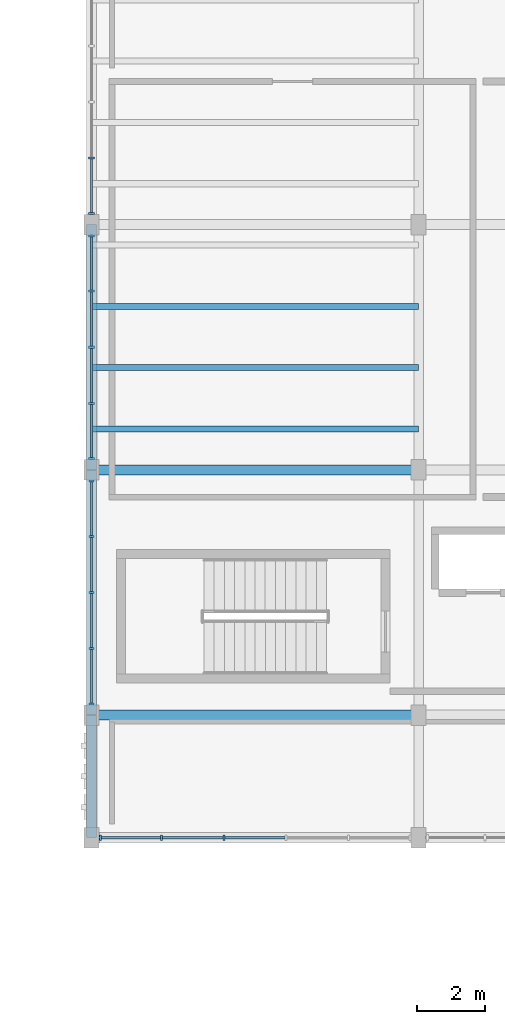
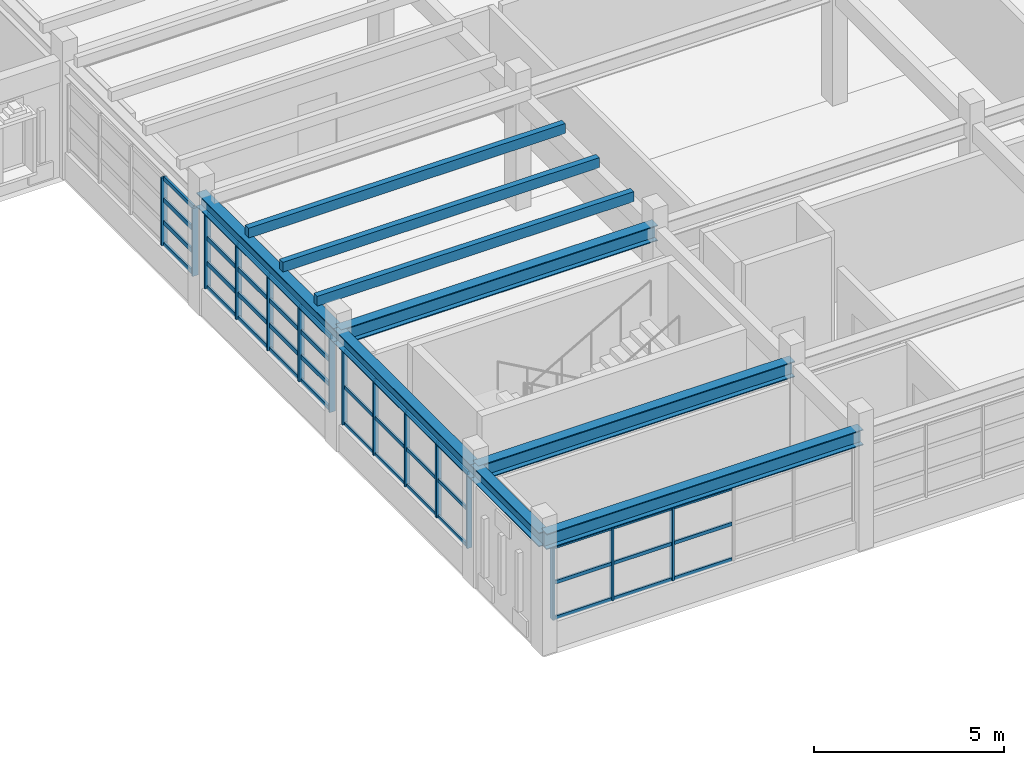
# One storey, part 21 of 69: 59 members, 6 beams, 4 elements without a shape of their own.
"""IFC4 building model written with IfcOpenShell, lengths in metres."""

from ifc_helpers import new_model, si_unit, direction, frame, origin, origin_2d, place, context, subcontext, project, spatial, rectangle, i_section, extrude, material, material_profile, profile_set, type_object, element, aggregate, save


model = new_model("IFC4")

# Units and contexts
model_context = context("Model", 3, precision=1e-05, world=origin(), true_north=direction((0.0, 1.0)))
body_context = subcontext(model_context, "Body", "Model", "MODEL_VIEW")
ifc_project = project(units=[si_unit("LENGTHUNIT", "METRE"), si_unit("AREAUNIT", "SQUARE_METRE"), si_unit("VOLUMEUNIT", "CUBIC_METRE"), si_unit("PLANEANGLEUNIT", "RADIAN"), si_unit("MASSUNIT", "GRAM", prefix="KILO")], contexts=[model_context])

# Site, building, storey
site_placement = place(None, origin())
site = spatial("IfcSite", under=ifc_project, at=site_placement, CompositionType="ELEMENT")
building_placement = place(site_placement, origin())
building = spatial("IfcBuilding", under=site, at=building_placement, Name="Nzembalo Square Collegiate School", CompositionType="ELEMENT")
storey_placement = place(building_placement, frame((0.0, 0.0, 5.10009765625)))
storey = spatial("IfcBuildingStorey", under=building, at=storey_placement, Name="L01", CompositionType="ELEMENT", Elevation=5.10009765625)

# Beams
ifc_material_1 = material(Name="Steel S355", Category="steel")
ifc_material_profile_1 = material_profile(ifc_material_1, i_section(OverallWidth=0.300048828125, OverallDepth=0.5, WebThickness=0.014404296875, FlangeThickness=0.028076171875, at=origin_2d()), Name="HEB 500")
ifc_profile_set_1 = profile_set([ifc_material_profile_1], Name="Steel S355")
beam_type_1 = type_object("IfcBeamType", Name="B07", PredefinedType="BEAM", material=ifc_profile_set_1)
for number, where, z_axis, x_axis, name in (
    (1, (130.800048828125, 79.199951171875, 3.5), (1.0, 0.0, 0.0), (0.0, 1.0, 0.0), "Beam B07 L01"),
    (2, (130.800048828125, 82.800048828125, 3.5), (1.0, 0.0, 0.0), (0.0, 1.0, 0.0), "Beam B07 L01"),
    (3, (130.800048828125, 90.0, 3.5), (1.0, 0.0, 0.0), (0.0, 1.0, 0.0), "Beam B07 L01"),
):
    element("IfcBeam", number, at=place(storey_placement, frame(where, z_axis=z_axis, x_axis=x_axis)), inside=storey, type_object=beam_type_1, Name=name, PredefinedType="BEAM", context=body_context, shape_type="SweptSolid", body=[
        extrude(i_section(OverallWidth=0.300048828125, OverallDepth=0.5, WebThickness=0.014404296875, FlangeThickness=0.028076171875, at=origin_2d()), origin(), (0.0, 0.0, 1.0), 9.599853515625),
    ])
ifc_material_2 = material(Name="Steel S355", Category="steel")
ifc_material_profile_2 = material_profile(ifc_material_2, i_section(OverallWidth=0.300048828125, OverallDepth=0.449951171875, WebThickness=0.013916015625, FlangeThickness=0.02587890625, at=origin_2d()), Name="HEB 450")
ifc_profile_set_2 = profile_set([ifc_material_profile_2], Name="Steel S355")
beam_type_2 = type_object("IfcBeamType", Name="B08", PredefinedType="BEAM", material=ifc_profile_set_2)
beam_placement = place(storey_placement, frame((130.800048828125, 79.199951171875, 3.52490234375), z_axis=(0.0, 1.0, 0.0), x_axis=(-1.0, 0.0, 0.0)))
element("IfcBeam", 4, at=beam_placement, inside=storey, type_object=beam_type_2, Name="Beam B08 L01", PredefinedType="BEAM", context=body_context, shape_type="SweptSolid", body=[
    extrude(i_section(OverallWidth=0.300048828125, OverallDepth=0.449951171875, WebThickness=0.013916015625, FlangeThickness=0.02587890625, at=origin_2d()), origin(), (0.0, 0.0, 1.0), 3.60009765625),
])
for number, where, z_axis, x_axis, name in (
    (5, (130.800048828125, 82.800048828125, 3.52490234375), (0.0, 1.0, 0.0), (-1.0, 0.0, 0.0), "Beam B08 L01"),
    (6, (130.800048828125, 90.0, 3.52490234375), (0.0, 1.0, 0.0), (-1.0, 0.0, 0.0), "Beam B08 L01"),
):
    element("IfcBeam", number, at=place(storey_placement, frame(where, z_axis=z_axis, x_axis=x_axis)), inside=storey, type_object=beam_type_2, Name=name, PredefinedType="BEAM", context=body_context, shape_type="SweptSolid", body=[
        extrude(i_section(OverallWidth=0.300048828125, OverallDepth=0.449951171875, WebThickness=0.013916015625, FlangeThickness=0.02587890625, at=origin_2d()), origin(), (0.0, 0.0, 1.0), 7.199951171875),
    ])

# Curtain wall, members
ifc_material_3 = material(Name="Aluminium 6060-T66", Category="aluminium")
curtain_wall_type_1 = type_object("IfcCurtainWallType", Name="CW-01", PredefinedType="USERDEFINED", material=ifc_material_3)
curtain_wall_1_placement = place(storey_placement, origin())
curtain_wall_1 = element("IfcCurtainWall", 7, at=curtain_wall_1_placement, inside=storey, type_object=curtain_wall_type_1, Name="Curtain wall CW-01 cw:L01:072", ObjectType="UNITISED", PredefinedType="USERDEFINED")
ifc_material_4 = material(Name="Aluminium 6060-T66", Category="aluminium")
ifc_material_profile_3 = material_profile(ifc_material_4, rectangle(XDim=0.06005859375, YDim=0.179931640625, at=origin_2d()), Name="ALU M60x180")
ifc_profile_set_3 = profile_set([ifc_material_profile_3], Name="Aluminium 6060-T66")
member_type_1 = type_object("IfcMemberType", Name="ML01", PredefinedType="MULLION", material=ifc_profile_set_3)
member_1_placement = place(storey_placement, frame((130.800048828125, 90.33203125, 0.849853515625), z_axis=(0.0, 0.0, 1.0), x_axis=(0.0, 1.0, 0.0)))
member_1 = element("IfcMember", 8, at=member_1_placement, type_object=member_type_1, Name="ML01 mullion 1", PredefinedType="MULLION", context=body_context, shape_type="SweptSolid", body=[
    extrude(rectangle(XDim=0.06005859375, YDim=0.179931640625, at=origin_2d()), origin(), (0.0, 0.0, 1.0), 2.39404296875),
])
member_2_placement = place(storey_placement, frame((130.800048828125, 91.950927734375, 0.849853515625), z_axis=(0.0, 0.0, 1.0), x_axis=(0.0, 1.0, 0.0)))
member_2 = element("IfcMember", 9, at=member_2_placement, type_object=member_type_1, Name="ML01 mullion 2", PredefinedType="MULLION", context=body_context, shape_type="SweptSolid", body=[
    extrude(rectangle(XDim=0.06005859375, YDim=0.179931640625, at=origin_2d()), origin(), (0.0, 0.0, 1.0), 2.39404296875),
])
member_3_placement = place(storey_placement, frame((130.800048828125, 93.60009765625, 0.849853515625), z_axis=(0.0, 0.0, 1.0), x_axis=(0.0, 1.0, 0.0)))
member_3 = element("IfcMember", 10, at=member_3_placement, type_object=member_type_1, Name="ML01 mullion 3", PredefinedType="MULLION", context=body_context, shape_type="SweptSolid", body=[
    extrude(rectangle(XDim=0.06005859375, YDim=0.179931640625, at=origin_2d()), origin(), (0.0, 0.0, 1.0), 2.39404296875),
])
member_4_placement = place(storey_placement, frame((130.800048828125, 95.2490234375, 0.849853515625), z_axis=(0.0, 0.0, 1.0), x_axis=(0.0, 1.0, 0.0)))
member_4 = element("IfcMember", 11, at=member_4_placement, type_object=member_type_1, Name="ML01 mullion 4", PredefinedType="MULLION", context=body_context, shape_type="SweptSolid", body=[
    extrude(rectangle(XDim=0.06005859375, YDim=0.179931640625, at=origin_2d()), origin(), (0.0, 0.0, 1.0), 2.39404296875),
])
member_5_placement = place(storey_placement, frame((130.800048828125, 96.867919921875, 0.849853515625), z_axis=(0.0, 0.0, 1.0), x_axis=(0.0, 1.0, 0.0)))
member_5 = element("IfcMember", 12, at=member_5_placement, type_object=member_type_1, Name="ML01 mullion 5", PredefinedType="MULLION", context=body_context, shape_type="SweptSolid", body=[
    extrude(rectangle(XDim=0.06005859375, YDim=0.179931640625, at=origin_2d()), origin(), (0.0, 0.0, 1.0), 2.39404296875),
])

ifc_material_5 = material(Name="Aluminium 6060-T66", Category="aluminium")
curtain_wall_type_2 = type_object("IfcCurtainWallType", Name="CW-02", PredefinedType="USERDEFINED", material=ifc_material_5)
curtain_wall_2_placement = place(storey_placement, origin())
curtain_wall_2 = element("IfcCurtainWall", 13, at=curtain_wall_2_placement, inside=storey, type_object=curtain_wall_type_2, Name="Curtain wall CW-02 cw:L01:073", ObjectType="UNITISED", PredefinedType="USERDEFINED")
member_6_placement = place(storey_placement, frame((130.800048828125, 97.531982421875, 0.849853515625), z_axis=(0.0, 0.0, 1.0), x_axis=(0.0, 1.0, 0.0)))
member_6 = element("IfcMember", 14, at=member_6_placement, type_object=member_type_1, Name="ML01 mullion 1", PredefinedType="MULLION", context=body_context, shape_type="SweptSolid", body=[
    extrude(rectangle(XDim=0.06005859375, YDim=0.179931640625, at=origin_2d()), origin(), (0.0, 0.0, 1.0), 2.174072265625),
])
member_7_placement = place(storey_placement, frame((130.800048828125, 99.15087890625, 0.849853515625), z_axis=(0.0, 0.0, 1.0), x_axis=(0.0, 1.0, 0.0)))
member_7 = element("IfcMember", 15, at=member_7_placement, type_object=member_type_1, Name="ML01 mullion 2", PredefinedType="MULLION", context=body_context, shape_type="SweptSolid", body=[
    extrude(rectangle(XDim=0.06005859375, YDim=0.179931640625, at=origin_2d()), origin(), (0.0, 0.0, 1.0), 2.174072265625),
])

ifc_material_6 = material(Name="Aluminium 6060-T66", Category="aluminium")
curtain_wall_type_3 = type_object("IfcCurtainWallType", Name="CW-12", PredefinedType="USERDEFINED", material=ifc_material_6)
curtain_wall_3_placement = place(storey_placement, origin())
curtain_wall_3 = element("IfcCurtainWall", 16, at=curtain_wall_3_placement, inside=storey, type_object=curtain_wall_type_3, Name="Curtain wall CW-12 cw:L01:067", ObjectType="LANCET", PredefinedType="USERDEFINED")
ifc_material_7 = material(Name="Aluminium 6060-T66", Category="aluminium")
ifc_material_profile_4 = material_profile(ifc_material_7, rectangle(XDim=0.06005859375, YDim=0.14990234375, at=origin_2d()), Name="ALU M60x150")
ifc_profile_set_4 = profile_set([ifc_material_profile_4], Name="Aluminium 6060-T66")
member_type_2 = type_object("IfcMemberType", Name="ML02", PredefinedType="MULLION", material=ifc_profile_set_4)
member_8_placement = place(storey_placement, frame((131.056884765625, 79.199951171875, 0.849853515625), z_axis=(0.0, 0.0, 1.0), x_axis=(1.0, 0.0, 0.0)))
member_8 = element("IfcMember", 17, at=member_8_placement, type_object=member_type_2, Name="ML02 mullion 1", PredefinedType="MULLION", context=body_context, shape_type="SweptSolid", body=[
    extrude(rectangle(XDim=0.06005859375, YDim=0.14990234375, at=origin_2d()), origin(), (0.0, 0.0, 1.0), 2.333984375),
])
member_9_placement = place(storey_placement, frame((132.856201171875, 79.199951171875, 0.849853515625), z_axis=(0.0, 0.0, 1.0), x_axis=(1.0, 0.0, 0.0)))
member_9 = element("IfcMember", 18, at=member_9_placement, type_object=member_type_2, Name="ML02 mullion 2", PredefinedType="MULLION", context=body_context, shape_type="SweptSolid", body=[
    extrude(rectangle(XDim=0.06005859375, YDim=0.14990234375, at=origin_2d()), origin(), (0.0, 0.0, 1.0), 2.333984375),
])
member_10_placement = place(storey_placement, frame((134.685302734375, 79.199951171875, 0.849853515625), z_axis=(0.0, 0.0, 1.0), x_axis=(1.0, 0.0, 0.0)))
member_10 = element("IfcMember", 19, at=member_10_placement, type_object=member_type_2, Name="ML02 mullion 3", PredefinedType="MULLION", context=body_context, shape_type="SweptSolid", body=[
    extrude(rectangle(XDim=0.06005859375, YDim=0.14990234375, at=origin_2d()), origin(), (0.0, 0.0, 1.0), 2.333984375),
])

ifc_material_8 = material(Name="Aluminium 6060-T66", Category="aluminium")
curtain_wall_type_4 = type_object("IfcCurtainWallType", Name="CW-08", PredefinedType="USERDEFINED", material=ifc_material_8)
curtain_wall_4_placement = place(storey_placement, origin())
curtain_wall_4 = element("IfcCurtainWall", 20, at=curtain_wall_4_placement, inside=storey, type_object=curtain_wall_type_4, Name="Curtain wall CW-08 cw:L01:071", ObjectType="LANCET", PredefinedType="USERDEFINED")
member_11_placement = place(storey_placement, frame((130.800048828125, 83.132080078125, 0.849853515625), z_axis=(0.0, 0.0, 1.0), x_axis=(0.0, 1.0, 0.0)))
member_11 = element("IfcMember", 21, at=member_11_placement, type_object=member_type_2, Name="ML02 mullion 1", PredefinedType="MULLION", context=body_context, shape_type="SweptSolid", body=[
    extrude(rectangle(XDim=0.06005859375, YDim=0.14990234375, at=origin_2d()), origin(), (0.0, 0.0, 1.0), 2.39404296875),
])
member_12_placement = place(storey_placement, frame((130.800048828125, 84.7509765625, 0.849853515625), z_axis=(0.0, 0.0, 1.0), x_axis=(0.0, 1.0, 0.0)))
member_12 = element("IfcMember", 22, at=member_12_placement, type_object=member_type_2, Name="ML02 mullion 2", PredefinedType="MULLION", context=body_context, shape_type="SweptSolid", body=[
    extrude(rectangle(XDim=0.06005859375, YDim=0.14990234375, at=origin_2d()), origin(), (0.0, 0.0, 1.0), 2.39404296875),
])
member_13_placement = place(storey_placement, frame((130.800048828125, 86.39990234375, 0.849853515625), z_axis=(0.0, 0.0, 1.0), x_axis=(0.0, 1.0, 0.0)))
member_13 = element("IfcMember", 23, at=member_13_placement, type_object=member_type_2, Name="ML02 mullion 3", PredefinedType="MULLION", context=body_context, shape_type="SweptSolid", body=[
    extrude(rectangle(XDim=0.06005859375, YDim=0.14990234375, at=origin_2d()), origin(), (0.0, 0.0, 1.0), 2.39404296875),
])
member_14_placement = place(storey_placement, frame((130.800048828125, 88.049072265625, 0.849853515625), z_axis=(0.0, 0.0, 1.0), x_axis=(0.0, 1.0, 0.0)))
member_14 = element("IfcMember", 24, at=member_14_placement, type_object=member_type_2, Name="ML02 mullion 4", PredefinedType="MULLION", context=body_context, shape_type="SweptSolid", body=[
    extrude(rectangle(XDim=0.06005859375, YDim=0.14990234375, at=origin_2d()), origin(), (0.0, 0.0, 1.0), 2.39404296875),
])
member_15_placement = place(storey_placement, frame((130.800048828125, 89.66796875, 0.849853515625), z_axis=(0.0, 0.0, 1.0), x_axis=(0.0, 1.0, 0.0)))
member_15 = element("IfcMember", 25, at=member_15_placement, type_object=member_type_2, Name="ML02 mullion 5", PredefinedType="MULLION", context=body_context, shape_type="SweptSolid", body=[
    extrude(rectangle(XDim=0.06005859375, YDim=0.14990234375, at=origin_2d()), origin(), (0.0, 0.0, 1.0), 2.39404296875),
])

# Member
ifc_material_9 = material(Name="Aluminium 6060-T66", Category="aluminium")
ifc_material_profile_5 = material_profile(ifc_material_9, rectangle(XDim=0.06005859375, YDim=0.139892578125, at=origin_2d()), Name="ALU T60x140")
ifc_profile_set_5 = profile_set([ifc_material_profile_5], Name="Aluminium 6060-T66")
member_type_3 = type_object("IfcMemberType", Name="TR01", PredefinedType="USERDEFINED", material=ifc_profile_set_5)
member_16_placement = place(storey_placement, frame((130.800048828125, 90.362060546875, 0.8798828125), z_axis=(0.0, 1.0, 0.0), x_axis=(-1.0, 0.0, 0.0)))
member_16 = element("IfcMember", 26, at=member_16_placement, type_object=member_type_3, Name="TR01 transom 1-1", ObjectType="TRANSOM", PredefinedType="USERDEFINED", context=body_context, shape_type="SweptSolid", body=[
    extrude(rectangle(XDim=0.06005859375, YDim=0.139892578125, at=origin_2d()), origin(), (0.0, 0.0, 1.0), 1.558837890625),
])

member_17_placement = place(storey_placement, frame((130.800048828125, 91.98095703125, 0.8798828125), z_axis=(0.0, 1.0, 0.0), x_axis=(-1.0, 0.0, 0.0)))
member_17 = element("IfcMember", 27, at=member_17_placement, type_object=member_type_3, Name="TR01 transom 1-2", ObjectType="TRANSOM", PredefinedType="USERDEFINED", context=body_context, shape_type="SweptSolid", body=[
    extrude(rectangle(XDim=0.06005859375, YDim=0.139892578125, at=origin_2d()), origin(), (0.0, 0.0, 1.0), 1.589111328125),
])

member_18_placement = place(storey_placement, frame((130.800048828125, 93.6298828125, 0.8798828125), z_axis=(0.0, 1.0, 0.0), x_axis=(-1.0, 0.0, 0.0)))
member_18 = element("IfcMember", 28, at=member_18_placement, type_object=member_type_3, Name="TR01 transom 1-3", ObjectType="TRANSOM", PredefinedType="USERDEFINED", context=body_context, shape_type="SweptSolid", body=[
    extrude(rectangle(XDim=0.06005859375, YDim=0.139892578125, at=origin_2d()), origin(), (0.0, 0.0, 1.0), 1.589111328125),
])

member_19_placement = place(storey_placement, frame((130.800048828125, 95.279052734375, 0.8798828125), z_axis=(0.0, 1.0, 0.0), x_axis=(-1.0, 0.0, 0.0)))
member_19 = element("IfcMember", 29, at=member_19_placement, type_object=member_type_3, Name="TR01 transom 1-4", ObjectType="TRANSOM", PredefinedType="USERDEFINED", context=body_context, shape_type="SweptSolid", body=[
    extrude(rectangle(XDim=0.06005859375, YDim=0.139892578125, at=origin_2d()), origin(), (0.0, 0.0, 1.0), 1.558837890625),
])

member_20_placement = place(storey_placement, frame((130.800048828125, 90.362060546875, 1.64794921875), z_axis=(0.0, 1.0, 0.0), x_axis=(-1.0, 0.0, 0.0)))
member_20 = element("IfcMember", 30, at=member_20_placement, type_object=member_type_3, Name="TR01 transom 2-1", ObjectType="TRANSOM", PredefinedType="USERDEFINED", context=body_context, shape_type="SweptSolid", body=[
    extrude(rectangle(XDim=0.06005859375, YDim=0.139892578125, at=origin_2d()), origin(), (0.0, 0.0, 1.0), 1.558837890625),
])

member_21_placement = place(storey_placement, frame((130.800048828125, 91.98095703125, 1.64794921875), z_axis=(0.0, 1.0, 0.0), x_axis=(-1.0, 0.0, 0.0)))
member_21 = element("IfcMember", 31, at=member_21_placement, type_object=member_type_3, Name="TR01 transom 2-2", ObjectType="TRANSOM", PredefinedType="USERDEFINED", context=body_context, shape_type="SweptSolid", body=[
    extrude(rectangle(XDim=0.06005859375, YDim=0.139892578125, at=origin_2d()), origin(), (0.0, 0.0, 1.0), 1.589111328125),
])

member_22_placement = place(storey_placement, frame((130.800048828125, 93.6298828125, 1.64794921875), z_axis=(0.0, 1.0, 0.0), x_axis=(-1.0, 0.0, 0.0)))
member_22 = element("IfcMember", 32, at=member_22_placement, type_object=member_type_3, Name="TR01 transom 2-3", ObjectType="TRANSOM", PredefinedType="USERDEFINED", context=body_context, shape_type="SweptSolid", body=[
    extrude(rectangle(XDim=0.06005859375, YDim=0.139892578125, at=origin_2d()), origin(), (0.0, 0.0, 1.0), 1.589111328125),
])

member_23_placement = place(storey_placement, frame((130.800048828125, 95.279052734375, 1.64794921875), z_axis=(0.0, 1.0, 0.0), x_axis=(-1.0, 0.0, 0.0)))
member_23 = element("IfcMember", 33, at=member_23_placement, type_object=member_type_3, Name="TR01 transom 2-4", ObjectType="TRANSOM", PredefinedType="USERDEFINED", context=body_context, shape_type="SweptSolid", body=[
    extrude(rectangle(XDim=0.06005859375, YDim=0.139892578125, at=origin_2d()), origin(), (0.0, 0.0, 1.0), 1.558837890625),
])

member_24_placement = place(storey_placement, frame((130.800048828125, 90.362060546875, 2.44580078125), z_axis=(0.0, 1.0, 0.0), x_axis=(-1.0, 0.0, 0.0)))
member_24 = element("IfcMember", 34, at=member_24_placement, type_object=member_type_3, Name="TR01 transom 3-1", ObjectType="TRANSOM", PredefinedType="USERDEFINED", context=body_context, shape_type="SweptSolid", body=[
    extrude(rectangle(XDim=0.06005859375, YDim=0.139892578125, at=origin_2d()), origin(), (0.0, 0.0, 1.0), 1.558837890625),
])

member_25_placement = place(storey_placement, frame((130.800048828125, 91.98095703125, 2.44580078125), z_axis=(0.0, 1.0, 0.0), x_axis=(-1.0, 0.0, 0.0)))
member_25 = element("IfcMember", 35, at=member_25_placement, type_object=member_type_3, Name="TR01 transom 3-2", ObjectType="TRANSOM", PredefinedType="USERDEFINED", context=body_context, shape_type="SweptSolid", body=[
    extrude(rectangle(XDim=0.06005859375, YDim=0.139892578125, at=origin_2d()), origin(), (0.0, 0.0, 1.0), 1.589111328125),
])

member_26_placement = place(storey_placement, frame((130.800048828125, 93.6298828125, 2.44580078125), z_axis=(0.0, 1.0, 0.0), x_axis=(-1.0, 0.0, 0.0)))
member_26 = element("IfcMember", 36, at=member_26_placement, type_object=member_type_3, Name="TR01 transom 3-3", ObjectType="TRANSOM", PredefinedType="USERDEFINED", context=body_context, shape_type="SweptSolid", body=[
    extrude(rectangle(XDim=0.06005859375, YDim=0.139892578125, at=origin_2d()), origin(), (0.0, 0.0, 1.0), 1.589111328125),
])

member_27_placement = place(storey_placement, frame((130.800048828125, 95.279052734375, 2.44580078125), z_axis=(0.0, 1.0, 0.0), x_axis=(-1.0, 0.0, 0.0)))
member_27 = element("IfcMember", 37, at=member_27_placement, type_object=member_type_3, Name="TR01 transom 3-4", ObjectType="TRANSOM", PredefinedType="USERDEFINED", context=body_context, shape_type="SweptSolid", body=[
    extrude(rectangle(XDim=0.06005859375, YDim=0.139892578125, at=origin_2d()), origin(), (0.0, 0.0, 1.0), 1.558837890625),
])

member_28_placement = place(storey_placement, frame((130.800048828125, 90.362060546875, 3.2138671875), z_axis=(0.0, 1.0, 0.0), x_axis=(-1.0, 0.0, 0.0)))
member_28 = element("IfcMember", 38, at=member_28_placement, type_object=member_type_3, Name="TR01 transom 4-1", ObjectType="TRANSOM", PredefinedType="USERDEFINED", context=body_context, shape_type="SweptSolid", body=[
    extrude(rectangle(XDim=0.06005859375, YDim=0.139892578125, at=origin_2d()), origin(), (0.0, 0.0, 1.0), 1.558837890625),
])

member_29_placement = place(storey_placement, frame((130.800048828125, 91.98095703125, 3.2138671875), z_axis=(0.0, 1.0, 0.0), x_axis=(-1.0, 0.0, 0.0)))
member_29 = element("IfcMember", 39, at=member_29_placement, type_object=member_type_3, Name="TR01 transom 4-2", ObjectType="TRANSOM", PredefinedType="USERDEFINED", context=body_context, shape_type="SweptSolid", body=[
    extrude(rectangle(XDim=0.06005859375, YDim=0.139892578125, at=origin_2d()), origin(), (0.0, 0.0, 1.0), 1.589111328125),
])

member_30_placement = place(storey_placement, frame((130.800048828125, 93.6298828125, 3.2138671875), z_axis=(0.0, 1.0, 0.0), x_axis=(-1.0, 0.0, 0.0)))
member_30 = element("IfcMember", 40, at=member_30_placement, type_object=member_type_3, Name="TR01 transom 4-3", ObjectType="TRANSOM", PredefinedType="USERDEFINED", context=body_context, shape_type="SweptSolid", body=[
    extrude(rectangle(XDim=0.06005859375, YDim=0.139892578125, at=origin_2d()), origin(), (0.0, 0.0, 1.0), 1.589111328125),
])

member_31_placement = place(storey_placement, frame((130.800048828125, 95.279052734375, 3.2138671875), z_axis=(0.0, 1.0, 0.0), x_axis=(-1.0, 0.0, 0.0)))
member_31 = element("IfcMember", 41, at=member_31_placement, type_object=member_type_3, Name="TR01 transom 4-4", ObjectType="TRANSOM", PredefinedType="USERDEFINED", context=body_context, shape_type="SweptSolid", body=[
    extrude(rectangle(XDim=0.06005859375, YDim=0.139892578125, at=origin_2d()), origin(), (0.0, 0.0, 1.0), 1.558837890625),
])

aggregate(curtain_wall_1, [member_1, member_2, member_3, member_4, member_5, member_16, member_17, member_18, member_19, member_20, member_21, member_22, member_23, member_24, member_25, member_26, member_27, member_28, member_29, member_30, member_31])

member_32_placement = place(storey_placement, frame((130.800048828125, 97.56201171875, 0.8798828125), z_axis=(0.0, 1.0, 0.0), x_axis=(-1.0, 0.0, 0.0)))
member_32 = element("IfcMember", 42, at=member_32_placement, type_object=member_type_3, Name="TR01 transom 1-1", ObjectType="TRANSOM", PredefinedType="USERDEFINED", context=body_context, shape_type="SweptSolid", body=[
    extrude(rectangle(XDim=0.06005859375, YDim=0.139892578125, at=origin_2d()), origin(), (0.0, 0.0, 1.0), 1.55908203125),
])

member_33_placement = place(storey_placement, frame((130.800048828125, 97.56201171875, 1.574462890625), z_axis=(0.0, 1.0, 0.0), x_axis=(-1.0, 0.0, 0.0)))
member_33 = element("IfcMember", 43, at=member_33_placement, type_object=member_type_3, Name="TR01 transom 2-1", ObjectType="TRANSOM", PredefinedType="USERDEFINED", context=body_context, shape_type="SweptSolid", body=[
    extrude(rectangle(XDim=0.06005859375, YDim=0.139892578125, at=origin_2d()), origin(), (0.0, 0.0, 1.0), 1.55908203125),
])

member_34_placement = place(storey_placement, frame((130.800048828125, 97.56201171875, 2.29931640625), z_axis=(0.0, 1.0, 0.0), x_axis=(-1.0, 0.0, 0.0)))
member_34 = element("IfcMember", 44, at=member_34_placement, type_object=member_type_3, Name="TR01 transom 3-1", ObjectType="TRANSOM", PredefinedType="USERDEFINED", context=body_context, shape_type="SweptSolid", body=[
    extrude(rectangle(XDim=0.06005859375, YDim=0.139892578125, at=origin_2d()), origin(), (0.0, 0.0, 1.0), 1.55908203125),
])

member_35_placement = place(storey_placement, frame((130.800048828125, 97.56201171875, 2.993896484375), z_axis=(0.0, 1.0, 0.0), x_axis=(-1.0, 0.0, 0.0)))
member_35 = element("IfcMember", 45, at=member_35_placement, type_object=member_type_3, Name="TR01 transom 4-1", ObjectType="TRANSOM", PredefinedType="USERDEFINED", context=body_context, shape_type="SweptSolid", body=[
    extrude(rectangle(XDim=0.06005859375, YDim=0.139892578125, at=origin_2d()), origin(), (0.0, 0.0, 1.0), 1.55908203125),
])

aggregate(curtain_wall_2, [member_6, member_7, member_32, member_33, member_34, member_35])

ifc_material_10 = material(Name="Aluminium 6060-T66", Category="aluminium")
ifc_material_profile_6 = material_profile(ifc_material_10, rectangle(XDim=0.06005859375, YDim=0.110107421875, at=origin_2d()), Name="ALU T60x110")
ifc_profile_set_6 = profile_set([ifc_material_profile_6], Name="Aluminium 6060-T66")
member_type_4 = type_object("IfcMemberType", Name="TR02", PredefinedType="USERDEFINED", material=ifc_profile_set_6)
member_36_placement = place(storey_placement, frame((131.0869140625, 79.199951171875, 0.8798828125), z_axis=(1.0, 0.0, 0.0), x_axis=(0.0, 1.0, 0.0)))
member_36 = element("IfcMember", 46, at=member_36_placement, type_object=member_type_4, Name="TR02 transom 1-1", ObjectType="TRANSOM", PredefinedType="USERDEFINED", context=body_context, shape_type="SweptSolid", body=[
    extrude(rectangle(XDim=0.06005859375, YDim=0.110107421875, at=origin_2d()), origin(), (0.0, 0.0, 1.0), 1.7392578125),
])

member_37_placement = place(storey_placement, frame((132.88623046875, 79.199951171875, 0.8798828125), z_axis=(1.0, 0.0, 0.0), x_axis=(0.0, 1.0, 0.0)))
member_37 = element("IfcMember", 47, at=member_37_placement, type_object=member_type_4, Name="TR02 transom 1-2", ObjectType="TRANSOM", PredefinedType="USERDEFINED", context=body_context, shape_type="SweptSolid", body=[
    extrude(rectangle(XDim=0.06005859375, YDim=0.110107421875, at=origin_2d()), origin(), (0.0, 0.0, 1.0), 1.769287109375),
])

member_38_placement = place(storey_placement, frame((134.71533203125, 79.199951171875, 0.8798828125), z_axis=(1.0, 0.0, 0.0), x_axis=(0.0, 1.0, 0.0)))
member_38 = element("IfcMember", 48, at=member_38_placement, type_object=member_type_4, Name="TR02 transom 1-3", ObjectType="TRANSOM", PredefinedType="USERDEFINED", context=body_context, shape_type="SweptSolid", body=[
    extrude(rectangle(XDim=0.06005859375, YDim=0.110107421875, at=origin_2d()), origin(), (0.0, 0.0, 1.0), 1.769287109375),
])

member_39_placement = place(storey_placement, frame((131.0869140625, 79.199951171875, 2.016845703125), z_axis=(1.0, 0.0, 0.0), x_axis=(0.0, 1.0, 0.0)))
member_39 = element("IfcMember", 49, at=member_39_placement, type_object=member_type_4, Name="TR02 transom 2-1", ObjectType="TRANSOM", PredefinedType="USERDEFINED", context=body_context, shape_type="SweptSolid", body=[
    extrude(rectangle(XDim=0.06005859375, YDim=0.110107421875, at=origin_2d()), origin(), (0.0, 0.0, 1.0), 1.7392578125),
])

member_40_placement = place(storey_placement, frame((132.88623046875, 79.199951171875, 2.016845703125), z_axis=(1.0, 0.0, 0.0), x_axis=(0.0, 1.0, 0.0)))
member_40 = element("IfcMember", 50, at=member_40_placement, type_object=member_type_4, Name="TR02 transom 2-2", ObjectType="TRANSOM", PredefinedType="USERDEFINED", context=body_context, shape_type="SweptSolid", body=[
    extrude(rectangle(XDim=0.06005859375, YDim=0.110107421875, at=origin_2d()), origin(), (0.0, 0.0, 1.0), 1.769287109375),
])

member_41_placement = place(storey_placement, frame((134.71533203125, 79.199951171875, 2.016845703125), z_axis=(1.0, 0.0, 0.0), x_axis=(0.0, 1.0, 0.0)))
member_41 = element("IfcMember", 51, at=member_41_placement, type_object=member_type_4, Name="TR02 transom 2-3", ObjectType="TRANSOM", PredefinedType="USERDEFINED", context=body_context, shape_type="SweptSolid", body=[
    extrude(rectangle(XDim=0.06005859375, YDim=0.110107421875, at=origin_2d()), origin(), (0.0, 0.0, 1.0), 1.769287109375),
])

member_42_placement = place(storey_placement, frame((131.0869140625, 79.199951171875, 3.15380859375), z_axis=(1.0, 0.0, 0.0), x_axis=(0.0, 1.0, 0.0)))
member_42 = element("IfcMember", 52, at=member_42_placement, type_object=member_type_4, Name="TR02 transom 3-1", ObjectType="TRANSOM", PredefinedType="USERDEFINED", context=body_context, shape_type="SweptSolid", body=[
    extrude(rectangle(XDim=0.06005859375, YDim=0.110107421875, at=origin_2d()), origin(), (0.0, 0.0, 1.0), 1.7392578125),
])

member_43_placement = place(storey_placement, frame((132.88623046875, 79.199951171875, 3.15380859375), z_axis=(1.0, 0.0, 0.0), x_axis=(0.0, 1.0, 0.0)))
member_43 = element("IfcMember", 53, at=member_43_placement, type_object=member_type_4, Name="TR02 transom 3-2", ObjectType="TRANSOM", PredefinedType="USERDEFINED", context=body_context, shape_type="SweptSolid", body=[
    extrude(rectangle(XDim=0.06005859375, YDim=0.110107421875, at=origin_2d()), origin(), (0.0, 0.0, 1.0), 1.769287109375),
])

member_44_placement = place(storey_placement, frame((134.71533203125, 79.199951171875, 3.15380859375), z_axis=(1.0, 0.0, 0.0), x_axis=(0.0, 1.0, 0.0)))
member_44 = element("IfcMember", 54, at=member_44_placement, type_object=member_type_4, Name="TR02 transom 3-3", ObjectType="TRANSOM", PredefinedType="USERDEFINED", context=body_context, shape_type="SweptSolid", body=[
    extrude(rectangle(XDim=0.06005859375, YDim=0.110107421875, at=origin_2d()), origin(), (0.0, 0.0, 1.0), 1.769287109375),
])

aggregate(curtain_wall_3, [member_8, member_9, member_10, member_36, member_37, member_38, member_39, member_40, member_41, member_42, member_43, member_44])

member_45_placement = place(storey_placement, frame((130.800048828125, 83.162109375, 0.8798828125), z_axis=(0.0, 1.0, 0.0), x_axis=(-1.0, 0.0, 0.0)))
member_45 = element("IfcMember", 55, at=member_45_placement, type_object=member_type_4, Name="TR02 transom 1-1", ObjectType="TRANSOM", PredefinedType="USERDEFINED", context=body_context, shape_type="SweptSolid", body=[
    extrude(rectangle(XDim=0.06005859375, YDim=0.110107421875, at=origin_2d()), origin(), (0.0, 0.0, 1.0), 1.558837890625),
])

member_46_placement = place(storey_placement, frame((130.800048828125, 84.781005859375, 0.8798828125), z_axis=(0.0, 1.0, 0.0), x_axis=(-1.0, 0.0, 0.0)))
member_46 = element("IfcMember", 56, at=member_46_placement, type_object=member_type_4, Name="TR02 transom 1-2", ObjectType="TRANSOM", PredefinedType="USERDEFINED", context=body_context, shape_type="SweptSolid", body=[
    extrude(rectangle(XDim=0.06005859375, YDim=0.110107421875, at=origin_2d()), origin(), (0.0, 0.0, 1.0), 1.589111328125),
])

member_47_placement = place(storey_placement, frame((130.800048828125, 86.429931640625, 0.8798828125), z_axis=(0.0, 1.0, 0.0), x_axis=(-1.0, 0.0, 0.0)))
member_47 = element("IfcMember", 57, at=member_47_placement, type_object=member_type_4, Name="TR02 transom 1-3", ObjectType="TRANSOM", PredefinedType="USERDEFINED", context=body_context, shape_type="SweptSolid", body=[
    extrude(rectangle(XDim=0.06005859375, YDim=0.110107421875, at=origin_2d()), origin(), (0.0, 0.0, 1.0), 1.589111328125),
])

member_48_placement = place(storey_placement, frame((130.800048828125, 88.0791015625, 0.8798828125), z_axis=(0.0, 1.0, 0.0), x_axis=(-1.0, 0.0, 0.0)))
member_48 = element("IfcMember", 58, at=member_48_placement, type_object=member_type_4, Name="TR02 transom 1-4", ObjectType="TRANSOM", PredefinedType="USERDEFINED", context=body_context, shape_type="SweptSolid", body=[
    extrude(rectangle(XDim=0.06005859375, YDim=0.110107421875, at=origin_2d()), origin(), (0.0, 0.0, 1.0), 1.558837890625),
])

member_49_placement = place(storey_placement, frame((130.800048828125, 83.162109375, 2.046875), z_axis=(0.0, 1.0, 0.0), x_axis=(-1.0, 0.0, 0.0)))
member_49 = element("IfcMember", 59, at=member_49_placement, type_object=member_type_4, Name="TR02 transom 2-1", ObjectType="TRANSOM", PredefinedType="USERDEFINED", context=body_context, shape_type="SweptSolid", body=[
    extrude(rectangle(XDim=0.06005859375, YDim=0.110107421875, at=origin_2d()), origin(), (0.0, 0.0, 1.0), 1.558837890625),
])

member_50_placement = place(storey_placement, frame((130.800048828125, 84.781005859375, 2.046875), z_axis=(0.0, 1.0, 0.0), x_axis=(-1.0, 0.0, 0.0)))
member_50 = element("IfcMember", 60, at=member_50_placement, type_object=member_type_4, Name="TR02 transom 2-2", ObjectType="TRANSOM", PredefinedType="USERDEFINED", context=body_context, shape_type="SweptSolid", body=[
    extrude(rectangle(XDim=0.06005859375, YDim=0.110107421875, at=origin_2d()), origin(), (0.0, 0.0, 1.0), 1.589111328125),
])

member_51_placement = place(storey_placement, frame((130.800048828125, 86.429931640625, 2.046875), z_axis=(0.0, 1.0, 0.0), x_axis=(-1.0, 0.0, 0.0)))
member_51 = element("IfcMember", 61, at=member_51_placement, type_object=member_type_4, Name="TR02 transom 2-3", ObjectType="TRANSOM", PredefinedType="USERDEFINED", context=body_context, shape_type="SweptSolid", body=[
    extrude(rectangle(XDim=0.06005859375, YDim=0.110107421875, at=origin_2d()), origin(), (0.0, 0.0, 1.0), 1.589111328125),
])

member_52_placement = place(storey_placement, frame((130.800048828125, 88.0791015625, 2.046875), z_axis=(0.0, 1.0, 0.0), x_axis=(-1.0, 0.0, 0.0)))
member_52 = element("IfcMember", 62, at=member_52_placement, type_object=member_type_4, Name="TR02 transom 2-4", ObjectType="TRANSOM", PredefinedType="USERDEFINED", context=body_context, shape_type="SweptSolid", body=[
    extrude(rectangle(XDim=0.06005859375, YDim=0.110107421875, at=origin_2d()), origin(), (0.0, 0.0, 1.0), 1.558837890625),
])

member_53_placement = place(storey_placement, frame((130.800048828125, 83.162109375, 3.2138671875), z_axis=(0.0, 1.0, 0.0), x_axis=(-1.0, 0.0, 0.0)))
member_53 = element("IfcMember", 63, at=member_53_placement, type_object=member_type_4, Name="TR02 transom 3-1", ObjectType="TRANSOM", PredefinedType="USERDEFINED", context=body_context, shape_type="SweptSolid", body=[
    extrude(rectangle(XDim=0.06005859375, YDim=0.110107421875, at=origin_2d()), origin(), (0.0, 0.0, 1.0), 1.558837890625),
])

member_54_placement = place(storey_placement, frame((130.800048828125, 84.781005859375, 3.2138671875), z_axis=(0.0, 1.0, 0.0), x_axis=(-1.0, 0.0, 0.0)))
member_54 = element("IfcMember", 64, at=member_54_placement, type_object=member_type_4, Name="TR02 transom 3-2", ObjectType="TRANSOM", PredefinedType="USERDEFINED", context=body_context, shape_type="SweptSolid", body=[
    extrude(rectangle(XDim=0.06005859375, YDim=0.110107421875, at=origin_2d()), origin(), (0.0, 0.0, 1.0), 1.589111328125),
])

member_55_placement = place(storey_placement, frame((130.800048828125, 86.429931640625, 3.2138671875), z_axis=(0.0, 1.0, 0.0), x_axis=(-1.0, 0.0, 0.0)))
member_55 = element("IfcMember", 65, at=member_55_placement, type_object=member_type_4, Name="TR02 transom 3-3", ObjectType="TRANSOM", PredefinedType="USERDEFINED", context=body_context, shape_type="SweptSolid", body=[
    extrude(rectangle(XDim=0.06005859375, YDim=0.110107421875, at=origin_2d()), origin(), (0.0, 0.0, 1.0), 1.589111328125),
])

member_56_placement = place(storey_placement, frame((130.800048828125, 88.0791015625, 3.2138671875), z_axis=(0.0, 1.0, 0.0), x_axis=(-1.0, 0.0, 0.0)))
member_56 = element("IfcMember", 66, at=member_56_placement, type_object=member_type_4, Name="TR02 transom 3-4", ObjectType="TRANSOM", PredefinedType="USERDEFINED", context=body_context, shape_type="SweptSolid", body=[
    extrude(rectangle(XDim=0.06005859375, YDim=0.110107421875, at=origin_2d()), origin(), (0.0, 0.0, 1.0), 1.558837890625),
])

aggregate(curtain_wall_4, [member_11, member_12, member_13, member_14, member_15, member_45, member_46, member_47, member_48, member_49, member_50, member_51, member_52, member_53, member_54, member_55, member_56])

# Members
ifc_material_11 = material(Name="Glulam GL28h", Category="wood")
ifc_material_profile_7 = material_profile(ifc_material_11, rectangle(XDim=0.179931640625, YDim=0.320068359375, at=origin_2d()), Name="GL28h 180x320")
ifc_profile_set_7 = profile_set([ifc_material_profile_7], Name="Glulam GL28h")
member_type_5 = type_object("IfcMemberType", Name="PR01", PredefinedType="PURLIN", material=ifc_profile_set_7)
for number, where, z_axis, x_axis, name in (
    (67, (130.800048828125, 91.199951171875, 3.89990234375), (1.0, 0.0, 0.0), (0.0, 1.0, 0.0), "Planted roof purlin PR01-ENW-01"),
    (68, (130.800048828125, 93.0, 3.89990234375), (1.0, 0.0, 0.0), (0.0, 1.0, 0.0), "Planted roof purlin PR01-ENW-02"),
    (69, (130.800048828125, 94.800048828125, 3.89990234375), (1.0, 0.0, 0.0), (0.0, 1.0, 0.0), "Planted roof purlin PR01-ENW-03"),
):
    element("IfcMember", number, at=place(storey_placement, frame(where, z_axis=z_axis, x_axis=x_axis)), inside=storey, type_object=member_type_5, Name=name, PredefinedType="PURLIN", context=body_context, shape_type="SweptSolid", body=[
        extrude(rectangle(XDim=0.179931640625, YDim=0.320068359375, at=origin_2d()), origin(), (0.0, 0.0, 1.0), 9.599853515625),
    ])

save(model, "model.ifc")
